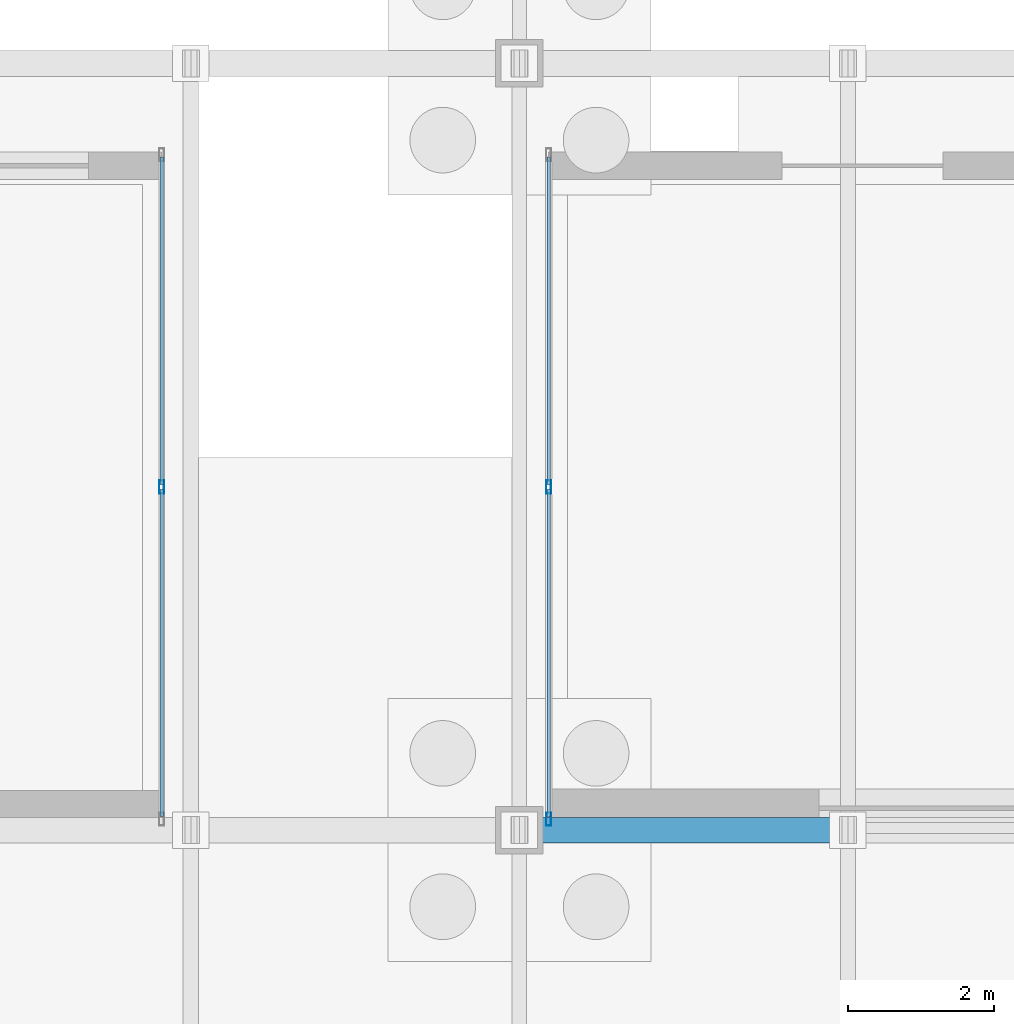
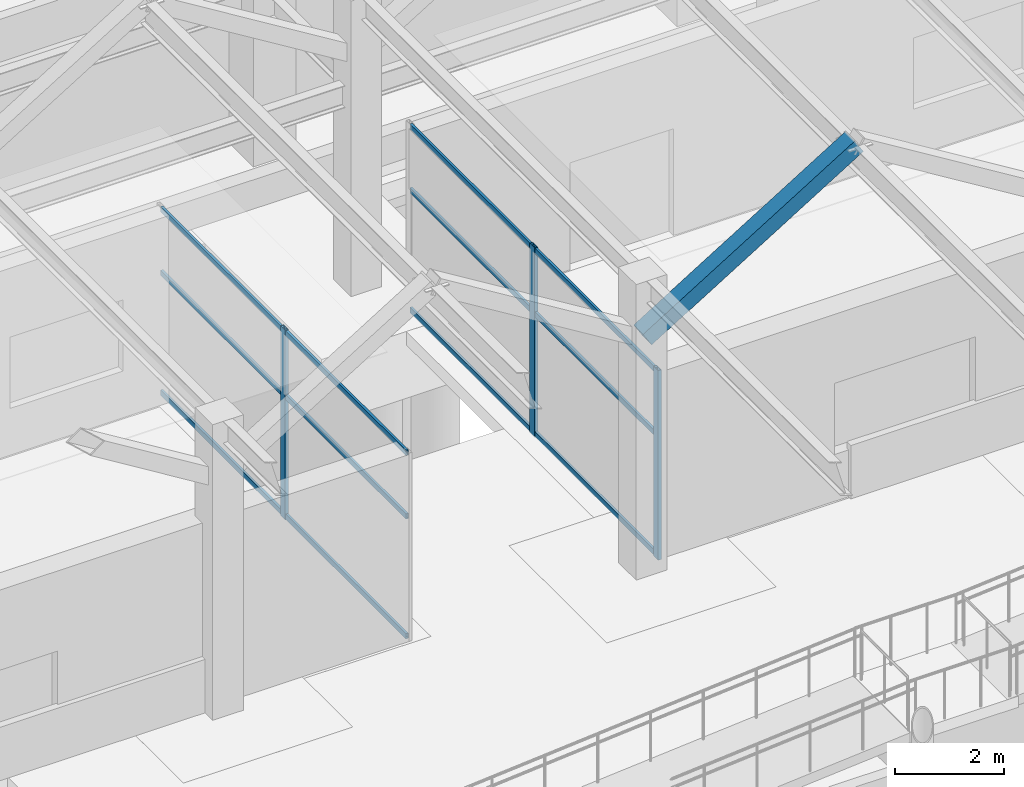
# One storey, part 52 of 160: 16 members, 2 elements without a shape of their own.
"""IFC4 building model written with IfcOpenShell, lengths in metres."""

from ifc_helpers import new_model, si_unit, direction, frame, origin, origin_2d, place, context, subcontext, project, spatial, hollow_rectangle, extrude, material, layer, layer_set, material_profile, profile_set, type_object, element, aggregate, save


model = new_model("IFC4")

# Units and contexts
model_context = context("Model", 3, precision=1e-05, world=origin(), true_north=direction((0.0, 1.0)))
body_context = subcontext(model_context, "Body", "Model", "MODEL_VIEW")
ifc_project = project(units=[si_unit("LENGTHUNIT", "METRE"), si_unit("AREAUNIT", "SQUARE_METRE"), si_unit("VOLUMEUNIT", "CUBIC_METRE"), si_unit("PLANEANGLEUNIT", "RADIAN"), si_unit("MASSUNIT", "GRAM", prefix="KILO")], contexts=[model_context])

# Site, building, storey
site_placement = place(None, origin())
site = spatial("IfcSite", under=ifc_project, at=site_placement, CompositionType="ELEMENT")
building_placement = place(site_placement, origin())
building = spatial("IfcBuilding", under=site, at=building_placement, Name="Marlcrest Central Station", CompositionType="ELEMENT")
storey_placement = place(building_placement, origin())
storey = spatial("IfcBuildingStorey", under=building, at=storey_placement, Name="L00", CompositionType="ELEMENT", Elevation=0.0)

# Curtain wall, member
ifc_material_1 = material(Name="Anodised aluminium and hurricane laminated glass", Category="aluminium")
ifc_layer = layer(ifc_material_1, 0.179931640625, Name="CW-S1")
ifc_layer_set = layer_set([ifc_layer], Name="Anodised aluminium and hurricane laminated glass")
curtain_wall_type = type_object("IfcCurtainWallType", Name="CW-S1", PredefinedType="USERDEFINED", material=ifc_layer_set)
curtain_wall_1_placement = place(storey_placement, origin())
curtain_wall_1 = element("IfcCurtainWall", 1, at=curtain_wall_1_placement, inside=storey, type_object=curtain_wall_type, Name="cw-L00-0146", ObjectType="STICK_CURTAIN_WALL", PredefinedType="USERDEFINED")
ifc_material_2 = material(Name="Anodised aluminium 6063-T6", Category="aluminium")
ifc_material_profile_1 = material_profile(ifc_material_2, hollow_rectangle(XDim=0.070068359375, YDim=0.179931640625, WallThickness=0.0048828125, at=origin_2d()), Name="AA-RHS 180x70x5")
ifc_profile_set_1 = profile_set([ifc_material_profile_1], Name="Anodised aluminium 6063-T6")
member_type_1 = type_object("IfcMemberType", Name="ML-02", PredefinedType="MULLION", material=ifc_profile_set_1)
member_1_placement = place(storey_placement, frame((40.10009765625, 27.199951171875, -0.030029296875), z_axis=(0.0, 0.0, 1.0), x_axis=(1.0, 0.0, 0.0)))
member_1 = element("IfcMember", 2, at=member_1_placement, type_object=member_type_1, Name="cw-L00-0146-ml-1", PredefinedType="MULLION", context=body_context, shape_type="SweptSolid", body=[
    extrude(hollow_rectangle(XDim=0.070068359375, YDim=0.179931640625, WallThickness=0.0048828125, at=origin_2d()), origin(), (0.0, 0.0, 1.0), 4.260009765625),
])

# Curtain wall, members
curtain_wall_2_placement = place(storey_placement, origin())
curtain_wall_2 = element("IfcCurtainWall", 3, at=curtain_wall_2_placement, inside=storey, type_object=curtain_wall_type, Name="cw-L00-0147", ObjectType="STICK_CURTAIN_WALL", PredefinedType="USERDEFINED")
member_2_placement = place(storey_placement, frame((45.39990234375, 22.64990234375, -0.030029296875), z_axis=(0.0, 0.0, 1.0), x_axis=(1.0, 0.0, 0.0)))
member_2 = element("IfcMember", 4, at=member_2_placement, type_object=member_type_1, Name="cw-L00-0147-ml-0", PredefinedType="MULLION", context=body_context, shape_type="SweptSolid", body=[
    extrude(hollow_rectangle(XDim=0.070068359375, YDim=0.179931640625, WallThickness=0.0048828125, at=origin_2d()), origin(), (0.0, 0.0, 1.0), 4.260009765625),
])
member_3_placement = place(storey_placement, frame((45.39990234375, 27.199951171875, -0.030029296875), z_axis=(0.0, 0.0, 1.0), x_axis=(1.0, 0.0, 0.0)))
member_3 = element("IfcMember", 5, at=member_3_placement, type_object=member_type_1, Name="cw-L00-0147-ml-1", PredefinedType="MULLION", context=body_context, shape_type="SweptSolid", body=[
    extrude(hollow_rectangle(XDim=0.070068359375, YDim=0.179931640625, WallThickness=0.0048828125, at=origin_2d()), origin(), (0.0, 0.0, 1.0), 4.260009765625),
])

# Member
ifc_material_3 = material(Name="Steel S355", Category="steel")
ifc_material_profile_2 = material_profile(ifc_material_3, hollow_rectangle(XDim=0.35009765625, YDim=0.35009765625, WallThickness=0.01611328125, at=origin_2d()), Name="SHS 350x350x16")
ifc_profile_set_2 = profile_set([ifc_material_profile_2], Name="Steel S355")
member_type_2 = type_object("IfcMemberType", Name="ST-02", PredefinedType="STRUT", material=ifc_profile_set_2)
member_4_placement = place(storey_placement, frame((45.0, 22.5, 5.199951171875), z_axis=(0.851591684043, 0.0, 0.524205688322), x_axis=(0.0, 1.0, 0.0)))
element("IfcMember", 6, at=member_4_placement, inside=storey, type_object=member_type_2, Name="mem-ST-02-L00-00051", PredefinedType="STRUT", context=body_context, shape_type="SweptSolid", body=[
    extrude(hollow_rectangle(XDim=0.35009765625, YDim=0.35009765625, WallThickness=0.01611328125, at=origin_2d()), origin(), (0.0, 0.0, 1.0), 5.2841796875),
])

ifc_material_profile_3 = material_profile(ifc_material_2, hollow_rectangle(XDim=0.050048828125, YDim=0.1201171875, WallThickness=0.00390625, at=origin_2d()), Name="AA-RHS 120x50x4")
ifc_profile_set_3 = profile_set([ifc_material_profile_3], Name="Anodised aluminium 6063-T6")
member_type_3 = type_object("IfcMemberType", Name="TR-02", PredefinedType="USERDEFINED", material=ifc_profile_set_3)
member_5_placement = place(storey_placement, frame((40.10009765625, 31.717041015625, 0.0400390625), z_axis=(0.0, -1.0, 0.0), x_axis=(1.0, 0.0, 0.0)))
member_5 = element("IfcMember", 7, at=member_5_placement, type_object=member_type_3, Name="cw-L00-0146-tr-0-sill", ObjectType="TRANSOM", PredefinedType="USERDEFINED", context=body_context, shape_type="SweptSolid", body=[
    extrude(hollow_rectangle(XDim=0.050048828125, YDim=0.1201171875, WallThickness=0.00390625, at=origin_2d()), origin(), (0.0, 0.0, 1.0), 4.484130859375),
])

member_6_placement = place(storey_placement, frame((40.10009765625, 31.717041015625, 2.72998046875), z_axis=(0.0, -1.0, 0.0), x_axis=(1.0, 0.0, 0.0)))
member_6 = element("IfcMember", 8, at=member_6_placement, type_object=member_type_3, Name="cw-L00-0146-tr-0-mid", ObjectType="TRANSOM", PredefinedType="USERDEFINED", context=body_context, shape_type="SweptSolid", body=[
    extrude(hollow_rectangle(XDim=0.050048828125, YDim=0.1201171875, WallThickness=0.00390625, at=origin_2d()), origin(), (0.0, 0.0, 1.0), 4.484130859375),
])

member_7_placement = place(storey_placement, frame((40.10009765625, 31.717041015625, 4.159912109375), z_axis=(0.0, -1.0, 0.0), x_axis=(1.0, 0.0, 0.0)))
member_7 = element("IfcMember", 9, at=member_7_placement, type_object=member_type_3, Name="cw-L00-0146-tr-0-head", ObjectType="TRANSOM", PredefinedType="USERDEFINED", context=body_context, shape_type="SweptSolid", body=[
    extrude(hollow_rectangle(XDim=0.050048828125, YDim=0.1201171875, WallThickness=0.00390625, at=origin_2d()), origin(), (0.0, 0.0, 1.0), 4.484130859375),
])

member_8_placement = place(storey_placement, frame((40.10009765625, 27.1669921875, 0.0400390625), z_axis=(0.0, -1.0, 0.0), x_axis=(1.0, 0.0, 0.0)))
member_8 = element("IfcMember", 10, at=member_8_placement, type_object=member_type_3, Name="cw-L00-0146-tr-1-sill", ObjectType="TRANSOM", PredefinedType="USERDEFINED", context=body_context, shape_type="SweptSolid", body=[
    extrude(hollow_rectangle(XDim=0.050048828125, YDim=0.1201171875, WallThickness=0.00390625, at=origin_2d()), origin(), (0.0, 0.0, 1.0), 4.48388671875),
])

member_9_placement = place(storey_placement, frame((40.10009765625, 27.1669921875, 2.72998046875), z_axis=(0.0, -1.0, 0.0), x_axis=(1.0, 0.0, 0.0)))
member_9 = element("IfcMember", 11, at=member_9_placement, type_object=member_type_3, Name="cw-L00-0146-tr-1-mid", ObjectType="TRANSOM", PredefinedType="USERDEFINED", context=body_context, shape_type="SweptSolid", body=[
    extrude(hollow_rectangle(XDim=0.050048828125, YDim=0.1201171875, WallThickness=0.00390625, at=origin_2d()), origin(), (0.0, 0.0, 1.0), 4.48388671875),
])

member_10_placement = place(storey_placement, frame((40.10009765625, 27.1669921875, 4.159912109375), z_axis=(0.0, -1.0, 0.0), x_axis=(1.0, 0.0, 0.0)))
member_10 = element("IfcMember", 12, at=member_10_placement, type_object=member_type_3, Name="cw-L00-0146-tr-1-head", ObjectType="TRANSOM", PredefinedType="USERDEFINED", context=body_context, shape_type="SweptSolid", body=[
    extrude(hollow_rectangle(XDim=0.050048828125, YDim=0.1201171875, WallThickness=0.00390625, at=origin_2d()), origin(), (0.0, 0.0, 1.0), 4.48388671875),
])

aggregate(curtain_wall_1, [member_1, member_5, member_6, member_7, member_8, member_9, member_10])

member_11_placement = place(storey_placement, frame((45.39990234375, 22.68310546875, 0.0400390625), z_axis=(0.0, 1.0, 0.0), x_axis=(-1.0, 0.0, 0.0)))
member_11 = element("IfcMember", 13, at=member_11_placement, type_object=member_type_3, Name="cw-L00-0147-tr-0-sill", ObjectType="TRANSOM", PredefinedType="USERDEFINED", context=body_context, shape_type="SweptSolid", body=[
    extrude(hollow_rectangle(XDim=0.050048828125, YDim=0.1201171875, WallThickness=0.00390625, at=origin_2d()), origin(), (0.0, 0.0, 1.0), 4.48388671875),
])

member_12_placement = place(storey_placement, frame((45.39990234375, 22.68310546875, 2.72998046875), z_axis=(0.0, 1.0, 0.0), x_axis=(-1.0, 0.0, 0.0)))
member_12 = element("IfcMember", 14, at=member_12_placement, type_object=member_type_3, Name="cw-L00-0147-tr-0-mid", ObjectType="TRANSOM", PredefinedType="USERDEFINED", context=body_context, shape_type="SweptSolid", body=[
    extrude(hollow_rectangle(XDim=0.050048828125, YDim=0.1201171875, WallThickness=0.00390625, at=origin_2d()), origin(), (0.0, 0.0, 1.0), 4.48388671875),
])

member_13_placement = place(storey_placement, frame((45.39990234375, 22.68310546875, 4.159912109375), z_axis=(0.0, 1.0, 0.0), x_axis=(-1.0, 0.0, 0.0)))
member_13 = element("IfcMember", 15, at=member_13_placement, type_object=member_type_3, Name="cw-L00-0147-tr-0-head", ObjectType="TRANSOM", PredefinedType="USERDEFINED", context=body_context, shape_type="SweptSolid", body=[
    extrude(hollow_rectangle(XDim=0.050048828125, YDim=0.1201171875, WallThickness=0.00390625, at=origin_2d()), origin(), (0.0, 0.0, 1.0), 4.48388671875),
])

member_14_placement = place(storey_placement, frame((45.39990234375, 27.23291015625, 0.0400390625), z_axis=(0.0, 1.0, 0.0), x_axis=(-1.0, 0.0, 0.0)))
member_14 = element("IfcMember", 16, at=member_14_placement, type_object=member_type_3, Name="cw-L00-0147-tr-1-sill", ObjectType="TRANSOM", PredefinedType="USERDEFINED", context=body_context, shape_type="SweptSolid", body=[
    extrude(hollow_rectangle(XDim=0.050048828125, YDim=0.1201171875, WallThickness=0.00390625, at=origin_2d()), origin(), (0.0, 0.0, 1.0), 4.484130859375),
])

member_15_placement = place(storey_placement, frame((45.39990234375, 27.23291015625, 2.72998046875), z_axis=(0.0, 1.0, 0.0), x_axis=(-1.0, 0.0, 0.0)))
member_15 = element("IfcMember", 17, at=member_15_placement, type_object=member_type_3, Name="cw-L00-0147-tr-1-mid", ObjectType="TRANSOM", PredefinedType="USERDEFINED", context=body_context, shape_type="SweptSolid", body=[
    extrude(hollow_rectangle(XDim=0.050048828125, YDim=0.1201171875, WallThickness=0.00390625, at=origin_2d()), origin(), (0.0, 0.0, 1.0), 4.484130859375),
])

member_16_placement = place(storey_placement, frame((45.39990234375, 27.23291015625, 4.159912109375), z_axis=(0.0, 1.0, 0.0), x_axis=(-1.0, 0.0, 0.0)))
member_16 = element("IfcMember", 18, at=member_16_placement, type_object=member_type_3, Name="cw-L00-0147-tr-1-head", ObjectType="TRANSOM", PredefinedType="USERDEFINED", context=body_context, shape_type="SweptSolid", body=[
    extrude(hollow_rectangle(XDim=0.050048828125, YDim=0.1201171875, WallThickness=0.00390625, at=origin_2d()), origin(), (0.0, 0.0, 1.0), 4.484130859375),
])

aggregate(curtain_wall_2, [member_2, member_3, member_11, member_12, member_13, member_14, member_15, member_16])

save(model, "model.ifc")
